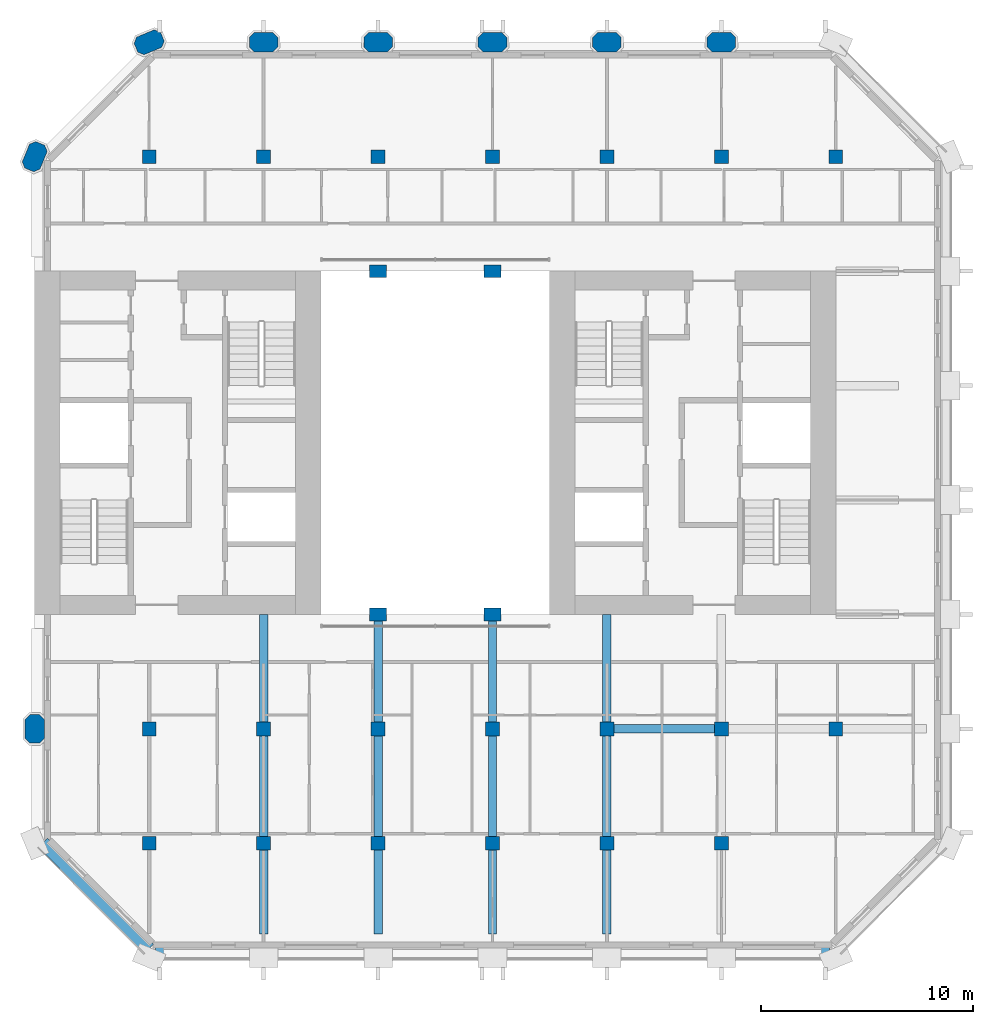
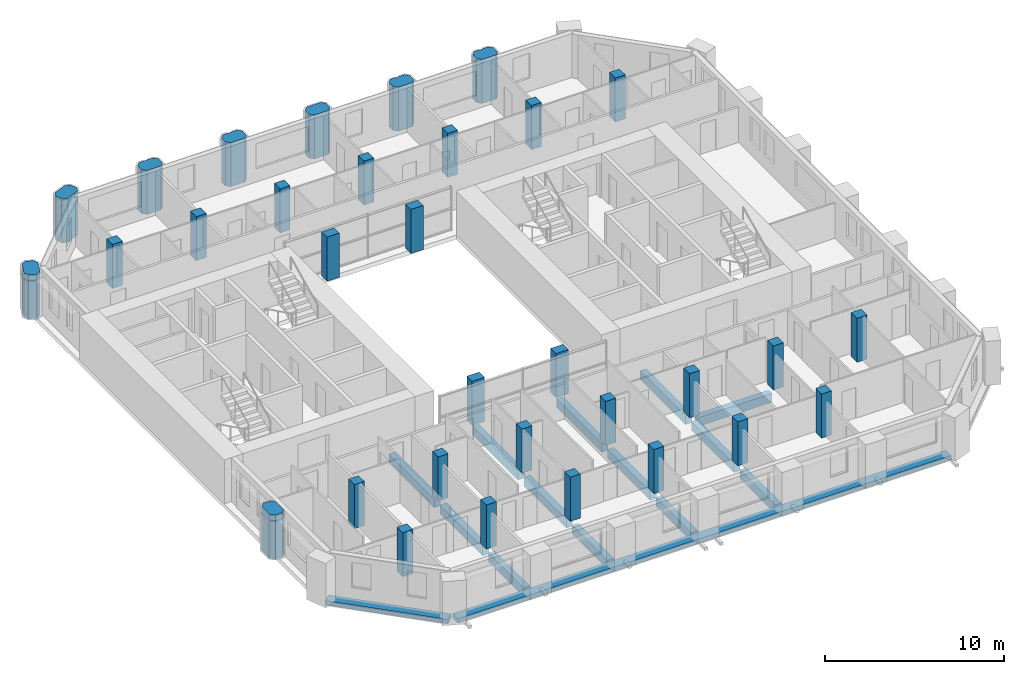
# One storey, part 1 of 14: 32 columns, 15 beams.
"""IFC4 building model written with IfcOpenShell, lengths in metres."""

from ifc_helpers import new_model, si_unit, direction, frame, origin, origin_2d, place, context, subcontext, project, spatial, polyline, rectangle, outline, extrude, material, material_profile, profile_set, type_object, element, save


model = new_model("IFC4")

# Units and contexts
model_context = context("Model", 3, precision=1e-05, world=origin(), true_north=direction((0.0, 1.0)))
body_context = subcontext(model_context, "Body", "Model", "MODEL_VIEW")
ifc_project = project(units=[si_unit("LENGTHUNIT", "METRE"), si_unit("AREAUNIT", "SQUARE_METRE"), si_unit("VOLUMEUNIT", "CUBIC_METRE"), si_unit("PLANEANGLEUNIT", "RADIAN"), si_unit("MASSUNIT", "GRAM", prefix="KILO")], contexts=[model_context])

# Site, building, storey
site_placement = place(None, origin())
site = spatial("IfcSite", under=ifc_project, at=site_placement, CompositionType="ELEMENT")
building_placement = place(site_placement, origin())
building = spatial("IfcBuilding", under=site, at=building_placement, Name="Tabaq Tower and Sports Hall", CompositionType="ELEMENT")
storey_placement = place(building_placement, frame((0.0, 0.0, 281.800048828125)))
storey = spatial("IfcBuildingStorey", under=building, at=storey_placement, Name="L69", CompositionType="ELEMENT", Elevation=281.800048828125)

# Columns
ifc_material_1 = material(Name="Concrete C40/50", Category="concrete")
ifc_material_profile_1 = material_profile(ifc_material_1, rectangle(XDim=0.800048828125, YDim=0.60009765625, at=origin_2d()), Name="ATRIUM COLUMN 800x600")
ifc_profile_set_1 = profile_set([ifc_material_profile_1], Name="Concrete C40/50")
column_type_1 = type_object("IfcColumnType", Name="RC COLUMN ATRIUM COLUMN 800x600 C40/50", PredefinedType="COLUMN", material=ifc_profile_set_1)
for number, where, z_axis, x_axis, name in (
    (1, (21.60009765625, 16.199951171875, 0.0), (0.0, 0.0, 1.0), (1.0, 0.0, 0.0), "Atrium Column 5/D L69"),
    (2, (27.0, 16.199951171875, 0.0), (0.0, 0.0, 1.0), (1.0, 0.0, 0.0), "Atrium Column 6/D L69"),
    (3, (21.60009765625, 32.39990234375, 0.0), (0.0, 0.0, 1.0), (1.0, 0.0, 0.0), "Atrium Column 5/G L69"),
    (4, (27.0, 32.39990234375, 0.0), (0.0, 0.0, 1.0), (1.0, 0.0, 0.0), "Atrium Column 6/G L69"),
):
    element("IfcColumn", number, at=place(storey_placement, frame(where, z_axis=z_axis, x_axis=x_axis)), inside=storey, type_object=column_type_1, Name=name, PredefinedType="COLUMN", context=body_context, shape_type="SweptSolid", body=[
        extrude(rectangle(XDim=0.800048828125, YDim=0.60009765625, at=origin_2d()), origin(), (0.0, 0.0, 1.0), 3.0),
    ])
ifc_material_2 = material(Name="Concrete C40/50", Category="concrete")
ifc_material_profile_2 = material_profile(ifc_material_2, rectangle(XDim=0.64990234375, YDim=0.64990234375, at=origin_2d()), Name="COLUMN 650x650")
ifc_profile_set_2 = profile_set([ifc_material_profile_2], Name="Concrete C40/50")
column_type_2 = type_object("IfcColumnType", Name="RC COLUMN COLUMN 650x650 C40/50", PredefinedType="COLUMN", material=ifc_profile_set_2)
for number, where, z_axis, x_axis, name in (
    (5, (10.800048828125, 5.39990234375, 0.0), (0.0, 0.0, 1.0), (1.0, 0.0, 0.0), "Column 3/B L69"),
    (6, (16.199951171875, 5.39990234375, 0.0), (0.0, 0.0, 1.0), (1.0, 0.0, 0.0), "Column 4/B L69"),
    (7, (21.60009765625, 5.39990234375, 0.0), (0.0, 0.0, 1.0), (1.0, 0.0, 0.0), "Column 5/B L69"),
    (8, (27.0, 5.39990234375, 0.0), (0.0, 0.0, 1.0), (1.0, 0.0, 0.0), "Column 6/B L69"),
    (9, (32.39990234375, 5.39990234375, 0.0), (0.0, 0.0, 1.0), (1.0, 0.0, 0.0), "Column 7/B L69"),
    (10, (37.800048828125, 5.39990234375, 0.0), (0.0, 0.0, 1.0), (1.0, 0.0, 0.0), "Column 8/B L69"),
    (11, (10.800048828125, 10.800048828125, 0.0), (0.0, 0.0, 1.0), (1.0, 0.0, 0.0), "Column 3/C L69"),
    (12, (16.199951171875, 10.800048828125, 0.0), (0.0, 0.0, 1.0), (1.0, 0.0, 0.0), "Column 4/C L69"),
    (13, (21.60009765625, 10.800048828125, 0.0), (0.0, 0.0, 1.0), (1.0, 0.0, 0.0), "Column 5/C L69"),
    (14, (27.0, 10.800048828125, 0.0), (0.0, 0.0, 1.0), (1.0, 0.0, 0.0), "Column 6/C L69"),
    (15, (32.39990234375, 10.800048828125, 0.0), (0.0, 0.0, 1.0), (1.0, 0.0, 0.0), "Column 7/C L69"),
    (16, (37.800048828125, 10.800048828125, 0.0), (0.0, 0.0, 1.0), (1.0, 0.0, 0.0), "Column 8/C L69"),
    (17, (43.199951171875, 10.800048828125, 0.0), (0.0, 0.0, 1.0), (1.0, 0.0, 0.0), "Column 9/C L69"),
    (18, (10.800048828125, 37.800048828125, 0.0), (0.0, 0.0, 1.0), (1.0, 0.0, 0.0), "Column 3/H L69"),
    (19, (16.199951171875, 37.800048828125, 0.0), (0.0, 0.0, 1.0), (1.0, 0.0, 0.0), "Column 4/H L69"),
    (20, (21.60009765625, 37.800048828125, 0.0), (0.0, 0.0, 1.0), (1.0, 0.0, 0.0), "Column 5/H L69"),
    (21, (27.0, 37.800048828125, 0.0), (0.0, 0.0, 1.0), (1.0, 0.0, 0.0), "Column 6/H L69"),
    (22, (32.39990234375, 37.800048828125, 0.0), (0.0, 0.0, 1.0), (1.0, 0.0, 0.0), "Column 7/H L69"),
    (23, (37.800048828125, 37.800048828125, 0.0), (0.0, 0.0, 1.0), (1.0, 0.0, 0.0), "Column 8/H L69"),
    (24, (43.199951171875, 37.800048828125, 0.0), (0.0, 0.0, 1.0), (1.0, 0.0, 0.0), "Column 9/H L69"),
):
    element("IfcColumn", number, at=place(storey_placement, frame(where, z_axis=z_axis, x_axis=x_axis)), inside=storey, type_object=column_type_2, Name=name, PredefinedType="COLUMN", context=body_context, shape_type="SweptSolid", body=[
        extrude(rectangle(XDim=0.64990234375, YDim=0.64990234375, at=origin_2d()), origin(), (0.0, 0.0, 1.0), 3.0),
    ])
ifc_material_3 = material(Name="Concrete C40/50", Category="concrete")
ifc_material_profile_3 = material_profile(ifc_material_3, outline(polyline([(-0.449951171875, -0.449951171875), (0.449951171875, -0.449951171875), (0.675048828125, -0.22509765625), (0.675048828125, 0.22509765625), (0.449951171875, 0.449951171875), (-0.449951171875, 0.449951171875), (-0.675048828125, 0.22509765625), (-0.675048828125, -0.22509765625), (-0.449951171875, -0.449951171875)])), Name="PIER 1350x900")
ifc_profile_set_3 = profile_set([ifc_material_profile_3], Name="Concrete C40/50")
column_type_3 = type_object("IfcColumnType", Name="RC COLUMN PIER 1350x900 C40/50", PredefinedType="COLUMN", material=ifc_profile_set_3)
for number, where, z_axis, x_axis, name in (
    (25, (5.39990234375, 10.800048828125, 0.0), (0.0, 0.0, 1.0), (0.0, 1.0, 0.0), "Pier 2/C L69"),
    (26, (5.39990234375, 37.800048828125, 0.0), (0.0, 0.0, 1.0), (0.382683432365, 0.923879532511, 0.0), "Pier 2/H L69"),
    (27, (10.800048828125, 43.199951171875, 0.0), (0.0, 0.0, 1.0), (0.923879532511, 0.382683432365, 0.0), "Pier 3/I L69"),
    (28, (16.199951171875, 43.199951171875, 0.0), (0.0, 0.0, 1.0), (1.0, 0.0, 0.0), "Pier 4/I L69"),
    (29, (21.60009765625, 43.199951171875, 0.0), (0.0, 0.0, 1.0), (1.0, 0.0, 0.0), "Pier 5/I L69"),
    (30, (27.0, 43.199951171875, 0.0), (0.0, 0.0, 1.0), (1.0, 0.0, 0.0), "Pier 6/I L69"),
    (31, (32.39990234375, 43.199951171875, 0.0), (0.0, 0.0, 1.0), (1.0, 0.0, 0.0), "Pier 7/I L69"),
    (32, (37.800048828125, 43.199951171875, 0.0), (0.0, 0.0, 1.0), (1.0, 0.0, 0.0), "Pier 8/I L69"),
):
    element("IfcColumn", number, at=place(storey_placement, frame(where, z_axis=z_axis, x_axis=x_axis)), inside=storey, type_object=column_type_3, Name=name, PredefinedType="COLUMN", context=body_context, shape_type="SweptSolid", body=[
        extrude(outline(polyline([(-0.449951171875, -0.449951171875), (0.449951171875, -0.449951171875), (0.675048828125, -0.22509765625), (0.675048828125, 0.22509765625), (0.449951171875, 0.449951171875), (-0.449951171875, 0.449951171875), (-0.675048828125, 0.22509765625), (-0.675048828125, -0.22509765625), (-0.449951171875, -0.449951171875)])), origin(), (0.0, 0.0, 1.0), 3.0),
    ])

# Beams
ifc_material_4 = material(Name="Concrete C40/50", Category="concrete")
ifc_material_profile_4 = material_profile(ifc_material_4, rectangle(XDim=0.39990234375, YDim=0.60009765625, at=origin_2d()), Name="CB 400x600")
ifc_profile_set_4 = profile_set([ifc_material_profile_4], Name="Concrete C40/50")
beam_type_1 = type_object("IfcBeamType", Name="PT CANTILEVER BEAM CB 400x600 C40/50", PredefinedType="BEAM", material=ifc_profile_set_4)
beam_1_placement = place(storey_placement, frame((37.47509765625, 10.800048828125, -0.60009765625), z_axis=(-1.0, 0.0, 0.0), x_axis=(0.0, -1.0, 0.0)))
element("IfcBeam", 33, at=beam_1_placement, inside=storey, type_object=beam_type_1, Name="Cantilever Beam L69 E2 span 3", PredefinedType="BEAM", context=body_context, shape_type="SweptSolid", body=[
    extrude(rectangle(XDim=0.39990234375, YDim=0.60009765625, at=origin_2d()), origin(), (0.0, 0.0, 1.0), 4.75),
])
beam_2_placement = place(storey_placement, frame((16.199951171875, 1.125, -0.60009765625), z_axis=(0.0, 1.0, 0.0), x_axis=(-1.0, 0.0, 0.0)))
element("IfcBeam", 34, at=beam_2_placement, inside=storey, type_object=beam_type_1, Name="Cantilever Beam L69 S3 span 1", PredefinedType="BEAM", context=body_context, shape_type="SweptSolid", body=[
    extrude(rectangle(XDim=0.39990234375, YDim=0.60009765625, at=origin_2d()), origin(), (0.0, 0.0, 1.0), 3.949951171875),
])
beam_3_placement = place(storey_placement, frame((16.199951171875, 5.72509765625, -0.60009765625), z_axis=(0.0, 1.0, 0.0), x_axis=(-1.0, 0.0, 0.0)))
element("IfcBeam", 35, at=beam_3_placement, inside=storey, type_object=beam_type_1, Name="Cantilever Beam L69 S3 span 2", PredefinedType="BEAM", context=body_context, shape_type="SweptSolid", body=[
    extrude(rectangle(XDim=0.39990234375, YDim=0.60009765625, at=origin_2d()), origin(), (0.0, 0.0, 1.0), 4.75),
])
beam_4_placement = place(storey_placement, frame((16.199951171875, 11.125, -0.60009765625), z_axis=(0.0, 1.0, 0.0), x_axis=(-1.0, 0.0, 0.0)))
element("IfcBeam", 36, at=beam_4_placement, inside=storey, type_object=beam_type_1, Name="Cantilever Beam L69 S3 span 3", PredefinedType="BEAM", context=body_context, shape_type="SweptSolid", body=[
    extrude(rectangle(XDim=0.39990234375, YDim=0.60009765625, at=origin_2d()), origin(), (0.0, 0.0, 1.0), 5.074951171875),
])
beam_5_placement = place(storey_placement, frame((21.60009765625, 1.125, -0.60009765625), z_axis=(0.0, 1.0, 0.0), x_axis=(-1.0, 0.0, 0.0)))
element("IfcBeam", 37, at=beam_5_placement, inside=storey, type_object=beam_type_1, Name="Cantilever Beam L69 S4 span 1", PredefinedType="BEAM", context=body_context, shape_type="SweptSolid", body=[
    extrude(rectangle(XDim=0.39990234375, YDim=0.60009765625, at=origin_2d()), origin(), (0.0, 0.0, 1.0), 3.949951171875),
])
beam_6_placement = place(storey_placement, frame((21.60009765625, 5.72509765625, -0.60009765625), z_axis=(0.0, 1.0, 0.0), x_axis=(-1.0, 0.0, 0.0)))
element("IfcBeam", 38, at=beam_6_placement, inside=storey, type_object=beam_type_1, Name="Cantilever Beam L69 S4 span 2", PredefinedType="BEAM", context=body_context, shape_type="SweptSolid", body=[
    extrude(rectangle(XDim=0.39990234375, YDim=0.60009765625, at=origin_2d()), origin(), (0.0, 0.0, 1.0), 4.75),
])
beam_7_placement = place(storey_placement, frame((21.60009765625, 11.125, -0.60009765625), z_axis=(0.0, 1.0, 0.0), x_axis=(-1.0, 0.0, 0.0)))
element("IfcBeam", 39, at=beam_7_placement, inside=storey, type_object=beam_type_1, Name="Cantilever Beam L69 S4 span 3", PredefinedType="BEAM", context=body_context, shape_type="SweptSolid", body=[
    extrude(rectangle(XDim=0.39990234375, YDim=0.60009765625, at=origin_2d()), origin(), (0.0, 0.0, 1.0), 5.074951171875),
])
beam_8_placement = place(storey_placement, frame((27.0, 1.125, -0.60009765625), z_axis=(0.0, 1.0, 0.0), x_axis=(-1.0, 0.0, 0.0)))
element("IfcBeam", 40, at=beam_8_placement, inside=storey, type_object=beam_type_1, Name="Cantilever Beam L69 S5 span 1", PredefinedType="BEAM", context=body_context, shape_type="SweptSolid", body=[
    extrude(rectangle(XDim=0.39990234375, YDim=0.60009765625, at=origin_2d()), origin(), (0.0, 0.0, 1.0), 3.949951171875),
])
beam_9_placement = place(storey_placement, frame((27.0, 5.72509765625, -0.60009765625), z_axis=(0.0, 1.0, 0.0), x_axis=(-1.0, 0.0, 0.0)))
element("IfcBeam", 41, at=beam_9_placement, inside=storey, type_object=beam_type_1, Name="Cantilever Beam L69 S5 span 2", PredefinedType="BEAM", context=body_context, shape_type="SweptSolid", body=[
    extrude(rectangle(XDim=0.39990234375, YDim=0.60009765625, at=origin_2d()), origin(), (0.0, 0.0, 1.0), 4.75),
])
beam_10_placement = place(storey_placement, frame((27.0, 11.125, -0.60009765625), z_axis=(0.0, 1.0, 0.0), x_axis=(-1.0, 0.0, 0.0)))
element("IfcBeam", 42, at=beam_10_placement, inside=storey, type_object=beam_type_1, Name="Cantilever Beam L69 S5 span 3", PredefinedType="BEAM", context=body_context, shape_type="SweptSolid", body=[
    extrude(rectangle(XDim=0.39990234375, YDim=0.60009765625, at=origin_2d()), origin(), (0.0, 0.0, 1.0), 5.074951171875),
])
beam_11_placement = place(storey_placement, frame((32.39990234375, 1.125, -0.60009765625), z_axis=(0.0, 1.0, 0.0), x_axis=(-1.0, 0.0, 0.0)))
element("IfcBeam", 43, at=beam_11_placement, inside=storey, type_object=beam_type_1, Name="Cantilever Beam L69 S6 span 1", PredefinedType="BEAM", context=body_context, shape_type="SweptSolid", body=[
    extrude(rectangle(XDim=0.39990234375, YDim=0.60009765625, at=origin_2d()), origin(), (0.0, 0.0, 1.0), 3.949951171875),
])
beam_12_placement = place(storey_placement, frame((32.39990234375, 5.72509765625, -0.60009765625), z_axis=(0.0, 1.0, 0.0), x_axis=(-1.0, 0.0, 0.0)))
element("IfcBeam", 44, at=beam_12_placement, inside=storey, type_object=beam_type_1, Name="Cantilever Beam L69 S6 span 2", PredefinedType="BEAM", context=body_context, shape_type="SweptSolid", body=[
    extrude(rectangle(XDim=0.39990234375, YDim=0.60009765625, at=origin_2d()), origin(), (0.0, 0.0, 1.0), 4.75),
])
beam_13_placement = place(storey_placement, frame((32.39990234375, 11.125, -0.60009765625), z_axis=(0.0, 1.0, 0.0), x_axis=(-1.0, 0.0, 0.0)))
element("IfcBeam", 45, at=beam_13_placement, inside=storey, type_object=beam_type_1, Name="Cantilever Beam L69 S6 span 3", PredefinedType="BEAM", context=body_context, shape_type="SweptSolid", body=[
    extrude(rectangle(XDim=0.39990234375, YDim=0.60009765625, at=origin_2d()), origin(), (0.0, 0.0, 1.0), 5.074951171875),
])
ifc_material_5 = material(Name="Concrete C40/50", Category="concrete")
ifc_material_profile_5 = material_profile(ifc_material_5, rectangle(XDim=0.60009765625, YDim=0.300048828125, at=origin_2d()), Name="EB 600x300")
ifc_profile_set_5 = profile_set([ifc_material_profile_5], Name="Concrete C40/50")
beam_type_2 = type_object("IfcBeamType", Name="PT EDGE BEAM EB 600x300 C40/50", PredefinedType="SPANDREL", material=ifc_profile_set_5)
beam_14_placement = place(storey_placement, frame((11.0986328125, 0.300048828125, -0.150146484375), z_axis=(1.0, 0.0, 0.0), x_axis=(0.0, 1.0, 0.0)))
element("IfcBeam", 46, at=beam_14_placement, inside=storey, type_object=beam_type_2, Name="Edge Beam L69 1", PredefinedType="SPANDREL", context=body_context, shape_type="SweptSolid", body=[
    extrude(rectangle(XDim=0.60009765625, YDim=0.300048828125, at=origin_2d()), origin(), (0.0, 0.0, 1.0), 31.802734375),
])
beam_15_placement = place(storey_placement, frame((5.788818359375, 5.435302734375, -0.150146484375), z_axis=(0.707124002701, -0.707089559252, 0.0), x_axis=(0.707089559252, 0.707124002701, 0.0)))
element("IfcBeam", 47, at=beam_15_placement, inside=storey, type_object=beam_type_2, Name="Edge Beam L69 5", PredefinedType="SPANDREL", context=body_context, shape_type="SweptSolid", body=[
    extrude(rectangle(XDim=0.60009765625, YDim=0.300048828125, at=origin_2d()), origin(), (0.0, 0.0, 1.0), 7.088134765625),
])

save(model, "model.ifc")
